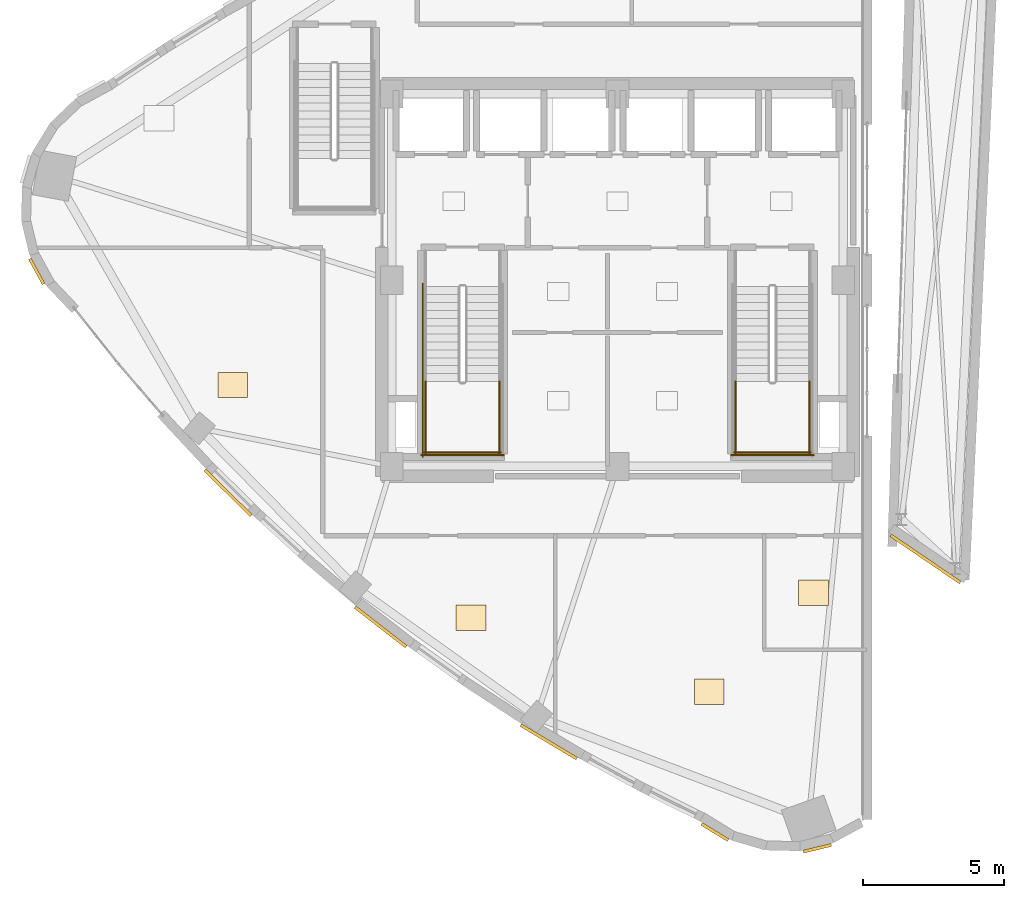
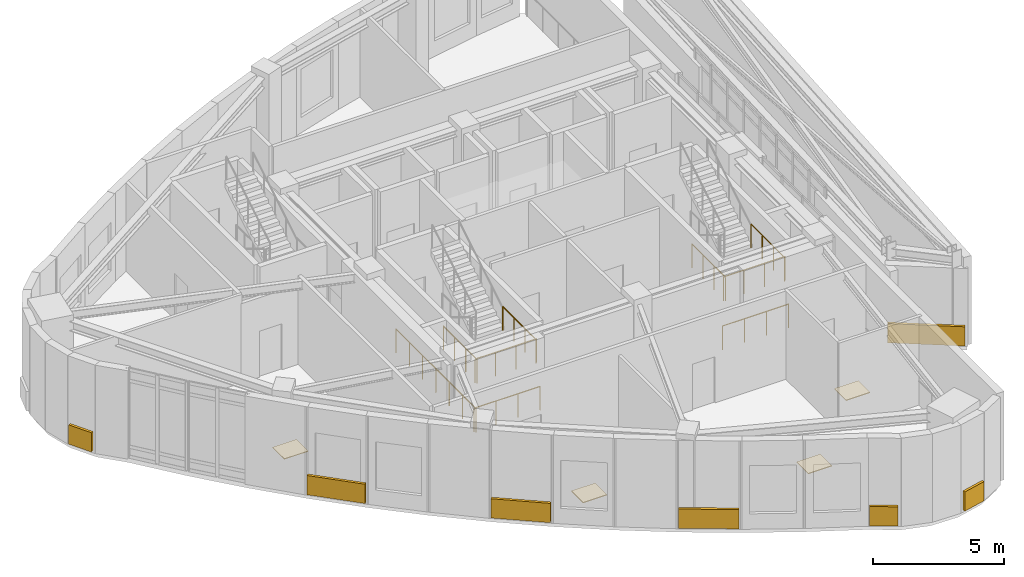
# One storey, part 17 of 19: 11 coverings, 9 railings.
"""IFC4 building model written with IfcOpenShell, lengths in metres."""

from ifc_helpers import new_model, si_unit, direction, frame, origin, origin_2d, place, context, subcontext, project, spatial, rectangle, circle, extrude, material, layer, layer_set, type_object, element, save


model = new_model("IFC4")

# Units and contexts
model_context = context("Model", 3, precision=1e-05, world=origin(), true_north=direction((0.0, 1.0)))
body_context = subcontext(model_context, "Body", "Model", "MODEL_VIEW")
ifc_project = project(units=[si_unit("LENGTHUNIT", "METRE"), si_unit("AREAUNIT", "SQUARE_METRE"), si_unit("VOLUMEUNIT", "CUBIC_METRE"), si_unit("PLANEANGLEUNIT", "RADIAN"), si_unit("MASSUNIT", "GRAM", prefix="KILO")], contexts=[model_context])

# Site, building, storey
site_placement = place(None, origin())
site = spatial("IfcSite", under=ifc_project, at=site_placement, CompositionType="ELEMENT")
building_placement = place(site_placement, origin())
building = spatial("IfcBuilding", under=site, at=building_placement, Name="Ndelora Gate Hotel", CompositionType="ELEMENT")
storey_placement = place(building_placement, frame((0.0, 0.0, 286.0)))
storey = spatial("IfcBuildingStorey", under=building, at=storey_placement, Name="L71", CompositionType="ELEMENT", Elevation=286.0)

# Coverings
ifc_material_1 = material(Name="Terracotta Fired Clay Brick Slip Cladding", Category="masonry")
ifc_layer_1 = layer(ifc_material_1, 0.110107421875)
ifc_layer_set_1 = layer_set([ifc_layer_1], Name="Terracotta Fired Clay Brick Slip Cladding")
covering_type_1 = type_object("IfcCoveringType", Name="COV-CLAD-BRK", PredefinedType="CLADDING", material=ifc_layer_set_1)
covering_1_placement = place(storey_placement, frame((-20.577880859375, 0.3115234375, 0.10009765625), z_axis=(0.0, 0.0, 1.0), x_axis=(-0.478538613714, 0.878066509545, 0.0)))
element("IfcCovering", 1, at=covering_1_placement, inside=storey, type_object=covering_type_1, Name="L71 Rounded-Corner Brick Cladding Band 13", PredefinedType="CLADDING", context=body_context, shape_type="SweptSolid", body=[
    extrude(rectangle(XDim=1.01611328125, YDim=0.110107421875, at=origin_2d()), origin(), (0.0, 0.0, 1.0), 0.89990234375),
])
covering_2_placement = place(storey_placement, frame((-13.801025390625, -7.532470703125, 0.10009765625), z_axis=(0.0, 0.0, 1.0), x_axis=(-0.709816657042, 0.704386480127, 0.0)))
element("IfcCovering", 2, at=covering_2_placement, inside=storey, type_object=covering_type_1, Name="L71 Rounded-Corner Brick Cladding Band 19", PredefinedType="CLADDING", context=body_context, shape_type="SweptSolid", body=[
    extrude(rectangle(XDim=2.301025390625, YDim=0.110107421875, at=origin_2d()), origin(), (0.0, 0.0, 1.0), 0.89990234375),
])
covering_3_placement = place(storey_placement, frame((-8.393798828125, -12.284912109375, 0.10009765625), z_axis=(0.0, 0.0, 1.0), x_axis=(-0.789833986695, 0.613320693815, 0.0)))
element("IfcCovering", 3, at=covering_3_placement, inside=storey, type_object=covering_type_1, Name="L71 Rounded-Corner Brick Cladding Band 22", PredefinedType="CLADDING", context=body_context, shape_type="SweptSolid", body=[
    extrude(rectangle(XDim=2.2890625, YDim=0.110107421875, at=origin_2d()), origin(), (0.0, 0.0, 1.0), 0.89990234375),
])
covering_4_placement = place(storey_placement, frame((-2.436279296875, -16.357421875, 0.10009765625), z_axis=(0.0, 0.0, 1.0), x_axis=(-0.857885593737, 0.513840741921, 0.0)))
element("IfcCovering", 4, at=covering_4_placement, inside=storey, type_object=covering_type_1, Name="L71 Rounded-Corner Brick Cladding Band 25", PredefinedType="CLADDING", context=body_context, shape_type="SweptSolid", body=[
    extrude(rectangle(XDim=2.31298828125, YDim=0.110107421875, at=origin_2d()), origin(), (0.0, 0.0, 1.0), 0.89990234375),
])
covering_5_placement = place(storey_placement, frame((3.449462890625, -19.552734375, 0.10009765625), z_axis=(0.0, 0.0, 1.0), x_axis=(-0.853368878608, 0.521307545528, 0.0)))
element("IfcCovering", 5, at=covering_5_placement, inside=storey, type_object=covering_type_1, Name="L71 Rounded-Corner Brick Cladding Band 28", PredefinedType="CLADDING", context=body_context, shape_type="SweptSolid", body=[
    extrude(rectangle(XDim=1.09912109375, YDim=0.110107421875, at=origin_2d()), origin(), (0.0, 0.0, 1.0), 0.89990234375),
])
covering_6_placement = place(storey_placement, frame((7.0830078125, -20.12890625, 0.10009765625), z_axis=(0.0, 0.0, 1.0), x_axis=(0.972002025815, 0.234972470325, 0.0)))
element("IfcCovering", 6, at=covering_6_placement, inside=storey, type_object=covering_type_1, Name="L71 Rounded-Corner Brick Cladding Band 34", PredefinedType="CLADDING", context=body_context, shape_type="SweptSolid", body=[
    extrude(rectangle(XDim=1.01611328125, YDim=0.110107421875, at=origin_2d()), origin(), (0.0, 0.0, 1.0), 0.89990234375),
])
covering_7_placement = place(storey_placement, frame((10.909423828125, -9.8759765625, 0.10009765625), z_axis=(0.0, 0.0, 1.0), x_axis=(-0.826884319778, 0.562372049186, 0.0)))
element("IfcCovering", 7, at=covering_7_placement, inside=storey, type_object=covering_type_1, Name="L71 Rounded-Corner Brick Cladding Band 1", PredefinedType="CLADDING", context=body_context, shape_type="SweptSolid", body=[
    extrude(rectangle(XDim=2.98291015625, YDim=0.110107421875, at=origin_2d()), origin(), (0.0, 0.0, 1.0), 0.89990234375),
])
ifc_material_2 = material(Name="Engineered Highland Oak Parquet", Category="wood")
ifc_layer_2 = layer(ifc_material_2, 0.030029296875)
ifc_layer_set_2 = layer_set([ifc_layer_2], Name="Engineered Highland Oak Parquet")
covering_type_2 = type_object("IfcCoveringType", Name="COV-FLR-PARQ", PredefinedType="FLOORING", material=ifc_layer_set_2)
for number, where, z_axis, x_axis, name in (
    (8, (-13.63623046875, -3.71337890625, 0.0), (0.0, 0.0, 1.0), (1.0, 0.0, 0.0), "L71 West Horizon Dining Restaurant Oak Parquet Flooring"),
    (9, (-5.188720703125, -11.95458984375, 0.0), (0.0, 0.0, 1.0), (1.0, 0.0, 0.0), "L71 Observatory Souvenir Shop Oak Parquet Flooring"),
    (10, (3.244873046875, -14.58740234375, 0.0), (0.0, 0.0, 1.0), (1.0, 0.0, 0.0), "L71 Ticketing and Guide Office Oak Parquet Flooring"),
    (11, (6.944580078125, -11.074951171875, 0.0), (0.0, 0.0, 1.0), (1.0, 0.0, 0.0), "L71 Accessible WC Oak Parquet Flooring"),
):
    element("IfcCovering", number, at=place(storey_placement, frame(where, z_axis=z_axis, x_axis=x_axis)), inside=storey, type_object=covering_type_2, Name=name, PredefinedType="FLOORING", context=body_context, shape_type="SweptSolid", body=[
        extrude(rectangle(XDim=1.050048828125, YDim=0.89990234375, at=origin_2d()), origin(), (0.0, 0.0, 1.0), 0.030029296875),
    ])

# Railings
ifc_material_3 = material(Name="Painted Galvanized Steel Balustrade", Category="steel")
ifc_layer_3 = layer(ifc_material_3, 0.06005859375)
ifc_layer_set_3 = layer_set([ifc_layer_3], Name="Painted Galvanized Steel Balustrade")
railing_type = type_object("IfcRailingType", Name="RL-STAIR-GD", PredefinedType="GUARDRAIL", material=ifc_layer_set_3)
for number, where, name in (
    (12, (-6.800048828125, -3.590087890625, 2.199951171875), "L71 ST4 stair guard 3"),
    (13, (-4.179931640625, -3.590087890625, 2.199951171875), "L71 ST4 stair guard 4"),
):
    element("IfcRailing", number, at=place(storey_placement, frame(where)), inside=storey, type_object=railing_type, Name=name, PredefinedType="GUARDRAIL", context=body_context, shape_type="SweptSolid", body=[
        extrude(circle(Radius=0.02392578125, at=origin_2d()), frame((0.0, 0.0, 1.10595703125), z_axis=(0.0, -1.0, 0.0), x_axis=(1.0, 0.0, 0.0)), (0.0, 0.0, 1.0), 2.559814453125),
        extrude(circle(Radius=0.02099609375, at=origin_2d()), origin(), (0.0, 0.0, 1.0), 1.081787109375),
        extrude(circle(Radius=0.02099609375, at=origin_2d()), frame((0.0, -0.853271484375, 0.0)), (0.0, 0.0, 1.0), 1.081787109375),
        extrude(circle(Radius=0.02099609375, at=origin_2d()), frame((0.0, -1.70654296875, 0.0)), (0.0, 0.0, 1.0), 1.081787109375),
        extrude(circle(Radius=0.02099609375, at=origin_2d()), frame((0.0, -2.559814453125, 0.0)), (0.0, 0.0, 1.0), 1.081787109375),
    ])
railing_1_placement = place(storey_placement, frame((-6.85009765625, -6.10009765625, 2.199951171875)))
element("IfcRailing", 14, at=railing_1_placement, inside=storey, type_object=railing_type, Name="L71 ST4 stair guard 5", PredefinedType="GUARDRAIL", context=body_context, shape_type="SweptSolid", body=[
    extrude(circle(Radius=0.02392578125, at=origin_2d()), frame((0.0, 0.0, 1.10595703125), z_axis=(1.0, 0.0, 0.0), x_axis=(0.0, 1.0, 0.0)), (0.0, 0.0, 1.0), 2.72021484375),
    extrude(circle(Radius=0.02099609375, at=origin_2d()), origin(), (0.0, 0.0, 1.0), 1.081787109375),
    extrude(circle(Radius=0.02099609375, at=origin_2d()), frame((0.90673828125, 0.0, 0.0)), (0.0, 0.0, 1.0), 1.081787109375),
    extrude(circle(Radius=0.02099609375, at=origin_2d()), frame((1.8134765625, 0.0, 0.0)), (0.0, 0.0, 1.0), 1.081787109375),
    extrude(circle(Radius=0.02099609375, at=origin_2d()), frame((2.72021484375, 0.0, 0.0)), (0.0, 0.0, 1.0), 1.081787109375),
])
railing_2_placement = place(storey_placement, frame((-6.89990234375, -0.1298828125, 0.0)))
element("IfcRailing", 15, at=railing_2_placement, inside=storey, type_object=railing_type, Name="L71 ST4 stair guard 10", PredefinedType="GUARDRAIL", context=body_context, shape_type="SweptSolid", body=[
    extrude(circle(Radius=0.02392578125, at=origin_2d()), frame((0.0, 0.0, 1.10595703125), z_axis=(0.0, -1.0, 0.0), x_axis=(1.0, 0.0, 0.0)), (0.0, 0.0, 1.0), 6.1201171875),
    extrude(circle(Radius=0.02099609375, at=origin_2d()), origin(), (0.0, 0.0, 1.0), 1.081787109375),
    extrude(circle(Radius=0.02099609375, at=origin_2d()), frame((0.0, -1.02001953125, 0.0)), (0.0, 0.0, 1.0), 1.081787109375),
    extrude(circle(Radius=0.02099609375, at=origin_2d()), frame((0.0, -2.0400390625, 0.0)), (0.0, 0.0, 1.0), 1.081787109375),
    extrude(circle(Radius=0.02099609375, at=origin_2d()), frame((0.0, -3.06005859375, 0.0)), (0.0, 0.0, 1.0), 1.081787109375),
    extrude(circle(Radius=0.02099609375, at=origin_2d()), frame((0.0, -4.080078125, 0.0)), (0.0, 0.0, 1.0), 1.081787109375),
    extrude(circle(Radius=0.02099609375, at=origin_2d()), frame((0.0, -5.10009765625, 0.0)), (0.0, 0.0, 1.0), 1.081787109375),
    extrude(circle(Radius=0.02099609375, at=origin_2d()), frame((0.0, -6.1201171875, 0.0)), (0.0, 0.0, 1.0), 1.081787109375),
])
railing_3_placement = place(storey_placement, frame((-6.949951171875, -6.199951171875, 0.0)))
element("IfcRailing", 16, at=railing_3_placement, inside=storey, type_object=railing_type, Name="L71 ST4 stair guard 12", PredefinedType="GUARDRAIL", context=body_context, shape_type="SweptSolid", body=[
    extrude(circle(Radius=0.02392578125, at=origin_2d()), frame((0.0, 0.0, 1.10595703125), z_axis=(1.0, 0.0, 0.0), x_axis=(0.0, 1.0, 0.0)), (0.0, 0.0, 1.0), 2.919921875),
    extrude(circle(Radius=0.02099609375, at=origin_2d()), origin(), (0.0, 0.0, 1.0), 1.081787109375),
    extrude(circle(Radius=0.02099609375, at=origin_2d()), frame((0.973388671875, 0.0, 0.0)), (0.0, 0.0, 1.0), 1.081787109375),
    extrude(circle(Radius=0.02099609375, at=origin_2d()), frame((1.946533203125, 0.0, 0.0)), (0.0, 0.0, 1.0), 1.081787109375),
    extrude(circle(Radius=0.02099609375, at=origin_2d()), frame((2.919921875, 0.0, 0.0)), (0.0, 0.0, 1.0), 1.081787109375),
])
for number, where, name in (
    (17, (4.179931640625, -3.590087890625, 2.199951171875), "L71 ST5 stair guard 3"),
    (18, (6.800048828125, -3.590087890625, 2.199951171875), "L71 ST5 stair guard 4"),
):
    element("IfcRailing", number, at=place(storey_placement, frame(where)), inside=storey, type_object=railing_type, Name=name, PredefinedType="GUARDRAIL", context=body_context, shape_type="SweptSolid", body=[
        extrude(circle(Radius=0.02392578125, at=origin_2d()), frame((0.0, 0.0, 1.10595703125), z_axis=(0.0, -1.0, 0.0), x_axis=(1.0, 0.0, 0.0)), (0.0, 0.0, 1.0), 2.559814453125),
        extrude(circle(Radius=0.02099609375, at=origin_2d()), origin(), (0.0, 0.0, 1.0), 1.081787109375),
        extrude(circle(Radius=0.02099609375, at=origin_2d()), frame((0.0, -0.853271484375, 0.0)), (0.0, 0.0, 1.0), 1.081787109375),
        extrude(circle(Radius=0.02099609375, at=origin_2d()), frame((0.0, -1.70654296875, 0.0)), (0.0, 0.0, 1.0), 1.081787109375),
        extrude(circle(Radius=0.02099609375, at=origin_2d()), frame((0.0, -2.559814453125, 0.0)), (0.0, 0.0, 1.0), 1.081787109375),
    ])
railing_4_placement = place(storey_placement, frame((4.1298828125, -6.10009765625, 2.199951171875)))
element("IfcRailing", 19, at=railing_4_placement, inside=storey, type_object=railing_type, Name="L71 ST5 stair guard 5", PredefinedType="GUARDRAIL", context=body_context, shape_type="SweptSolid", body=[
    extrude(circle(Radius=0.02392578125, at=origin_2d()), frame((0.0, 0.0, 1.10595703125), z_axis=(1.0, 0.0, 0.0), x_axis=(0.0, 1.0, 0.0)), (0.0, 0.0, 1.0), 2.72021484375),
    extrude(circle(Radius=0.02099609375, at=origin_2d()), origin(), (0.0, 0.0, 1.0), 1.081787109375),
    extrude(circle(Radius=0.02099609375, at=origin_2d()), frame((0.90673828125, 0.0, 0.0)), (0.0, 0.0, 1.0), 1.081787109375),
    extrude(circle(Radius=0.02099609375, at=origin_2d()), frame((1.8134765625, 0.0, 0.0)), (0.0, 0.0, 1.0), 1.081787109375),
    extrude(circle(Radius=0.02099609375, at=origin_2d()), frame((2.72021484375, 0.0, 0.0)), (0.0, 0.0, 1.0), 1.081787109375),
])
railing_5_placement = place(storey_placement, frame((4.030029296875, -6.199951171875, 0.0)))
element("IfcRailing", 20, at=railing_5_placement, inside=storey, type_object=railing_type, Name="L71 ST5 stair guard 12", PredefinedType="GUARDRAIL", context=body_context, shape_type="SweptSolid", body=[
    extrude(circle(Radius=0.02392578125, at=origin_2d()), frame((0.0, 0.0, 1.10595703125), z_axis=(1.0, 0.0, 0.0), x_axis=(0.0, 1.0, 0.0)), (0.0, 0.0, 1.0), 2.919921875),
    extrude(circle(Radius=0.02099609375, at=origin_2d()), origin(), (0.0, 0.0, 1.0), 1.081787109375),
    extrude(circle(Radius=0.02099609375, at=origin_2d()), frame((0.973388671875, 0.0, 0.0)), (0.0, 0.0, 1.0), 1.081787109375),
    extrude(circle(Radius=0.02099609375, at=origin_2d()), frame((1.946533203125, 0.0, 0.0)), (0.0, 0.0, 1.0), 1.081787109375),
    extrude(circle(Radius=0.02099609375, at=origin_2d()), frame((2.919921875, 0.0, 0.0)), (0.0, 0.0, 1.0), 1.081787109375),
])

save(model, "model.ifc")
